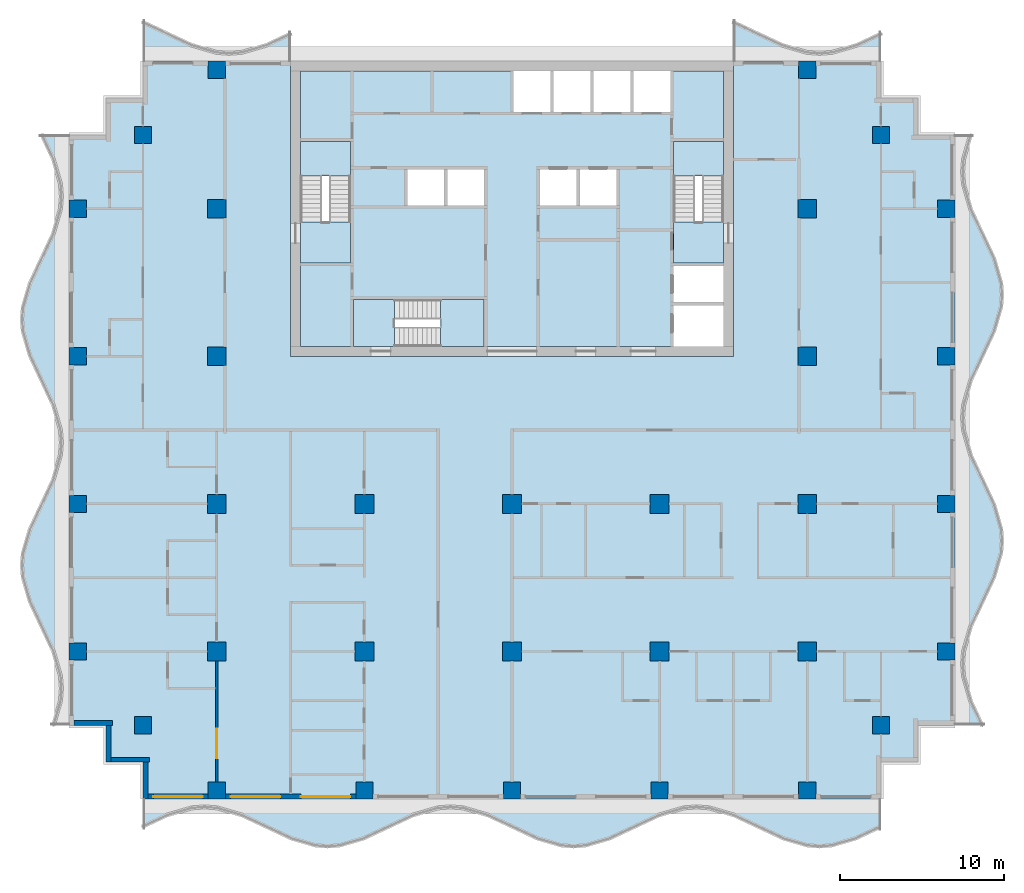
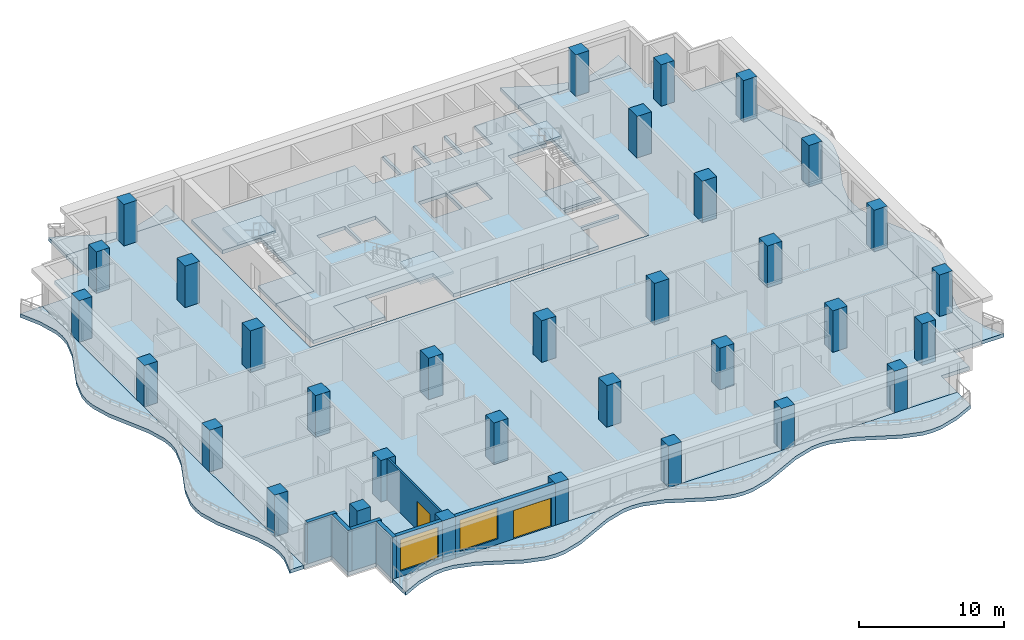
# One storey, part 1 of 11: 33 columns, 13 slabs, 7 walls, 2 doors, 2 windows, 4 openings, 3 elements without a shape of their own.
"""IFC4 building model written with IfcOpenShell, lengths in metres."""

from ifc_helpers import new_model, si_unit, direction, frame, frame_2d, origin, origin_2d, place, context, subcontext, project, spatial, polyline, rectangle, outline, extrude, material, layer, layer_set, material_profile, profile_set, type_object, element, fill, aggregate, save


model = new_model("IFC4")

# Units and contexts
model_context = context("Model", 3, precision=1e-05, world=origin(), true_north=direction((0.0, 1.0)))
body_context = subcontext(model_context, "Body", "Model", "MODEL_VIEW")
ifc_project = project(units=[si_unit("LENGTHUNIT", "METRE"), si_unit("AREAUNIT", "SQUARE_METRE"), si_unit("VOLUMEUNIT", "CUBIC_METRE"), si_unit("PLANEANGLEUNIT", "RADIAN"), si_unit("MASSUNIT", "GRAM", prefix="KILO")], contexts=[model_context])

# Site, building, storey
site_placement = place(None, origin())
site = spatial("IfcSite", under=ifc_project, at=site_placement, CompositionType="ELEMENT")
building_placement = place(site_placement, origin())
building = spatial("IfcBuilding", under=site, at=building_placement, Name="Orbiselva Terraces", CompositionType="ELEMENT")
storey_placement = place(building_placement, frame((0.0, 0.0, 195.8)))
storey = spatial("IfcBuildingStorey", under=building, at=storey_placement, Name="L49", CompositionType="ELEMENT", Elevation=195.8)

# Columns
ifc_material_1 = material(Name="Concrete C60/75", Category="concrete")
ifc_material_profile_1 = material_profile(ifc_material_1, rectangle(XDim=1.15, YDim=1.15, at=origin_2d()), Name="RC 1150x1150")
ifc_profile_set_1 = profile_set([ifc_material_profile_1], Name="Concrete C60/75")
column_type_1 = type_object("IfcColumnType", Name="COLUMN RC 1150x1150", PredefinedType="COLUMN", material=ifc_profile_set_1)
for number, where, z_axis, x_axis, name in (
    (1, (-18.0, -13.5, 0.0), (0.0, 0.0, 1.0), (1.0, 0.0, 0.0), "Column L49-01"),
    (2, (-18.0, -4.5, 0.0), (0.0, 0.0, 1.0), (1.0, 0.0, 0.0), "Column L49-03"),
    (3, (-18.0, 13.5, 0.0), (0.0, 0.0, 1.0), (1.0, 0.0, 0.0), "Column L49-04"),
    (4, (-18.0, 4.5, 0.0), (0.0, 0.0, 1.0), (1.0, 0.0, 0.0), "Column L49-06"),
    (5, (-9.0, -13.5, 0.0), (0.0, 0.0, 1.0), (1.0, 0.0, 0.0), "Column L49-13"),
    (6, (-9.0, -4.5, 0.0), (0.0, 0.0, 1.0), (1.0, 0.0, 0.0), "Column L49-15"),
    (7, (0.0, -13.5, 0.0), (0.0, 0.0, 1.0), (1.0, 0.0, 0.0), "Column L49-16"),
    (8, (0.0, -4.5, 0.0), (0.0, 0.0, 1.0), (1.0, 0.0, 0.0), "Column L49-18"),
    (9, (18.0, -13.5, 0.0), (0.0, 0.0, 1.0), (1.0, 0.0, 0.0), "Column L49-19"),
    (10, (18.0, -4.5, 0.0), (0.0, 0.0, 1.0), (1.0, 0.0, 0.0), "Column L49-21"),
    (11, (18.0, 13.5, 0.0), (0.0, 0.0, 1.0), (1.0, 0.0, 0.0), "Column L49-22"),
    (12, (18.0, 4.5, 0.0), (0.0, 0.0, 1.0), (1.0, 0.0, 0.0), "Column L49-24"),
    (13, (9.0, -13.5, 0.0), (0.0, 0.0, 1.0), (1.0, 0.0, 0.0), "Column L49-31"),
    (14, (9.0, -4.5, 0.0), (0.0, 0.0, 1.0), (1.0, 0.0, 0.0), "Column L49-33"),
):
    element("IfcColumn", number, at=place(storey_placement, frame(where, z_axis=z_axis, x_axis=x_axis)), inside=storey, type_object=column_type_1, Name=name, PredefinedType="COLUMN", context=body_context, shape_type="SweptSolid", body=[
        extrude(rectangle(XDim=1.15, YDim=1.15, at=origin_2d()), origin(), (0.0, 0.0, 1.0), 3.5),
    ])
ifc_material_2 = material(Name="Concrete C50/60", Category="concrete")
ifc_material_profile_2 = material_profile(ifc_material_2, rectangle(XDim=1.05, YDim=1.05, at=origin_2d()), Name="RC 1050x1050")
ifc_profile_set_2 = profile_set([ifc_material_profile_2], Name="Concrete C50/60")
column_type_2 = type_object("IfcColumnType", Name="PERIMETER COLUMN RC 1050x1050", PredefinedType="COLUMN", material=ifc_profile_set_2)
for number, where, z_axis, x_axis, name in (
    (15, (-18.0, -21.975, 0.0), (0.0, 0.0, 1.0), (1.0, 0.0, 0.0), "Column L49-02"),
    (16, (-18.0, 21.975, 0.0), (0.0, 0.0, 1.0), (1.0, 0.0, 0.0), "Column L49-05"),
    (17, (-26.475, -13.5, 0.0), (0.0, 0.0, 1.0), (1.0, 0.0, 0.0), "Column L49-07"),
    (18, (-22.5, -18.0, 0.0), (0.0, 0.0, 1.0), (1.0, 0.0, 0.0), "Column L49-08"),
    (19, (-26.475, -4.5, 0.0), (0.0, 0.0, 1.0), (1.0, 0.0, 0.0), "Column L49-09"),
    (20, (-26.475, 13.5, 0.0), (0.0, 0.0, 1.0), (1.0, 0.0, 0.0), "Column L49-10"),
    (21, (-22.5, 18.0, 0.0), (0.0, 0.0, 1.0), (1.0, 0.0, 0.0), "Column L49-11"),
    (22, (-26.475, 4.5, 0.0), (0.0, 0.0, 1.0), (1.0, 0.0, 0.0), "Column L49-12"),
    (23, (-9.0, -21.975, 0.0), (0.0, 0.0, 1.0), (1.0, 0.0, 0.0), "Column L49-14"),
    (24, (0.0, -21.975, 0.0), (0.0, 0.0, 1.0), (1.0, 0.0, 0.0), "Column L49-17"),
    (25, (18.0, -21.975, 0.0), (0.0, 0.0, 1.0), (1.0, 0.0, 0.0), "Column L49-20"),
    (26, (18.0, 21.975, 0.0), (0.0, 0.0, 1.0), (1.0, 0.0, 0.0), "Column L49-23"),
    (27, (26.475, -13.5, 0.0), (0.0, 0.0, 1.0), (1.0, 0.0, 0.0), "Column L49-25"),
    (28, (22.5, -18.0, 0.0), (0.0, 0.0, 1.0), (1.0, 0.0, 0.0), "Column L49-26"),
    (29, (26.475, -4.5, 0.0), (0.0, 0.0, 1.0), (1.0, 0.0, 0.0), "Column L49-27"),
    (30, (26.475, 13.5, 0.0), (0.0, 0.0, 1.0), (1.0, 0.0, 0.0), "Column L49-28"),
    (31, (22.5, 18.0, 0.0), (0.0, 0.0, 1.0), (1.0, 0.0, 0.0), "Column L49-29"),
    (32, (26.475, 4.5, 0.0), (0.0, 0.0, 1.0), (1.0, 0.0, 0.0), "Column L49-30"),
    (33, (9.0, -21.975, 0.0), (0.0, 0.0, 1.0), (1.0, 0.0, 0.0), "Column L49-32"),
):
    element("IfcColumn", number, at=place(storey_placement, frame(where, z_axis=z_axis, x_axis=x_axis)), inside=storey, type_object=column_type_2, Name=name, PredefinedType="COLUMN", context=body_context, shape_type="SweptSolid", body=[
        extrude(rectangle(XDim=1.05, YDim=1.05, at=origin_2d()), origin(), (0.0, 0.0, 1.0), 3.5),
    ])

# Slabs
ifc_material_3 = material(Name="Concrete C40/50", Category="concrete")
ifc_layer_1 = layer(ifc_material_3, 0.3)
ifc_layer_set_1 = layer_set([ifc_layer_1], Name="Concrete C40/50")
slab_type_1 = type_object("IfcSlabType", Name="CORE-SLAB-FLOOR-300", PredefinedType="FLOOR", material=ifc_layer_set_1)
slab_1_placement = place(storey_placement, frame((0.0, 0.0, -0.3)))
element("IfcSlab", 34, at=slab_1_placement, inside=storey, type_object=slab_type_1, Name="L49 S1 floor landing", PredefinedType="FLOOR", context=body_context, shape_type="SweptSolid", body=[
    extrude(outline(polyline([(-12.9, 12.7), (-9.85, 12.7), (-9.85, 10.2), (-12.9, 10.2), (-12.9, 12.7)])), origin(), (0.0, 0.0, 1.0), 0.3),
])
slab_2_placement = place(storey_placement, frame((0.0, 0.0, -0.3)))
element("IfcSlab", 35, at=slab_2_placement, inside=storey, type_object=slab_type_1, Name="L49 S2 floor landing", PredefinedType="FLOOR", context=body_context, shape_type="SweptSolid", body=[
    extrude(outline(polyline([(12.9, 12.7), (12.9, 10.2), (9.85, 10.2), (9.85, 12.7), (12.9, 12.7)])), origin(), (0.0, 0.0, 1.0), 0.3),
])
slab_3_placement = place(storey_placement, frame((0.0, 0.0, -0.3)))
element("IfcSlab", 36, at=slab_3_placement, inside=storey, type_object=slab_type_1, Name="L49 S3 floor landing", PredefinedType="FLOOR", context=body_context, shape_type="SweptSolid", body=[
    extrude(outline(polyline([(-7.15, 5.1), (-9.65, 5.1), (-9.65, 7.95), (-7.15, 7.95), (-7.15, 5.1)])), origin(), (0.0, 0.0, 1.0), 0.3),
])
slab_4_placement = place(storey_placement, frame((0.0, 0.0, -0.3)))
element("IfcSlab", 37, at=slab_4_placement, inside=storey, type_object=slab_type_1, Name="L49 core floor slab 1", PredefinedType="FLOOR", context=body_context, shape_type="SweptSolid", body=[
    extrude(outline(polyline([(-1.7, 5.1), (-1.7, 7.95), (-9.65, 7.95), (-9.65, 5.1), (-12.9, 5.1), (-12.9, 10.2), (-9.85, 10.2), (-9.85, 17.6), (-12.9, 17.6), (-12.9, 21.9), (0.1, 21.9), (0.1, 19.4), (2.3375, 19.4), (2.3375, 21.9), (2.5375, 21.9), (2.5375, 19.4), (4.775, 19.4), (4.775, 21.9), (4.975, 21.9), (4.975, 19.4), (7.2125, 19.4), (7.2125, 21.9), (7.4125, 21.9), (7.4125, 19.4), (9.65, 19.4), (9.65, 21.9), (12.9, 21.9), (12.9, 17.6), (9.85, 17.6), (9.85, 10.2), (12.9, 10.2), (12.9, 10.0), (9.85, 10.0), (9.85, 7.8), (12.9, 7.8), (12.9, 7.6), (9.85, 7.6), (9.85, 5.1), (-1.7, 5.1)]), holes=[polyline([(-4.1375, 13.7), (-4.1375, 15.9), (-6.375, 15.9), (-6.375, 13.7), (-4.1375, 13.7)]), polyline([(-1.7, 13.7), (-1.7, 15.9), (-3.9375, 15.9), (-3.9375, 13.7), (-1.7, 13.7)]), polyline([(3.9375, 15.9), (1.7, 15.9), (1.7, 13.7), (3.9375, 13.7), (3.9375, 15.9)]), polyline([(6.375, 13.7), (6.375, 15.9), (4.1375, 15.9), (4.1375, 13.7), (6.375, 13.7)])]), origin(), (0.0, 0.0, 1.0), 0.3),
])

# Stair, slab
stair_type_1 = type_object("IfcStairType", Name="CORE-STAIR-1300", PredefinedType="HALF_TURN_STAIR", material=ifc_material_3)
stair_1_placement = place(storey_placement, origin())
stair_1 = element("IfcStair", 38, at=stair_1_placement, inside=storey, type_object=stair_type_1, Name="L49 Exit Stair S1", PredefinedType="HALF_TURN_STAIR")
ifc_layer_2 = layer(ifc_material_3, 0.2)
ifc_layer_set_2 = layer_set([ifc_layer_2], Name="Concrete C40/50")
slab_type_2 = type_object("IfcSlabType", Name="CORE-STAIR-LANDING-200", PredefinedType="LANDING", material=ifc_layer_set_2)
slab_5_placement = place(storey_placement, frame((0.0, 0.0, 1.7)))
slab_5 = element("IfcSlab", 39, at=slab_5_placement, type_object=slab_type_2, Name="S1 landing 1", PredefinedType="LANDING", context=body_context, shape_type="SweptSolid", body=[
    extrude(outline(polyline([(-9.85, 15.5), (-9.85, 17.6), (-12.9, 17.6), (-12.9, 15.5), (-9.85, 15.5)])), origin(), (0.0, 0.0, 1.0), 0.2),
])
aggregate(stair_1, [slab_5])

stair_2_placement = place(storey_placement, origin())
stair_2 = element("IfcStair", 40, at=stair_2_placement, inside=storey, type_object=stair_type_1, Name="L49 Exit Stair S2", PredefinedType="HALF_TURN_STAIR")
slab_6_placement = place(storey_placement, frame((0.0, 0.0, 1.7)))
slab_6 = element("IfcSlab", 41, at=slab_6_placement, type_object=slab_type_2, Name="S2 landing 1", PredefinedType="LANDING", context=body_context, shape_type="SweptSolid", body=[
    extrude(outline(polyline([(12.9, 15.5), (12.9, 17.6), (9.85, 17.6), (9.85, 15.5), (12.9, 15.5)])), origin(), (0.0, 0.0, 1.0), 0.2),
])
aggregate(stair_2, [slab_6])

stair_type_2 = type_object("IfcStairType", Name="CORE-STAIR-1200", PredefinedType="HALF_TURN_STAIR", material=ifc_material_3)
stair_3_placement = place(storey_placement, origin())
stair_3 = element("IfcStair", 42, at=stair_3_placement, inside=storey, type_object=stair_type_2, Name="L49 Exit Stair S3", PredefinedType="HALF_TURN_STAIR")
slab_7_placement = place(storey_placement, frame((0.0, 0.0, 1.7)))
slab_7 = element("IfcSlab", 43, at=slab_7_placement, type_object=slab_type_2, Name="S3 landing 1", PredefinedType="LANDING", context=body_context, shape_type="SweptSolid", body=[
    extrude(outline(polyline([(-4.35, 5.1), (-1.7, 5.1), (-1.7, 7.95), (-4.35, 7.95), (-4.35, 5.1)])), origin(), (0.0, 0.0, 1.0), 0.2),
])
aggregate(stair_3, [slab_7])

# Slabs
ifc_layer_3 = layer(ifc_material_2, 0.3)
ifc_layer_set_3 = layer_set([ifc_layer_3], Name="Concrete C50/60")
slab_type_3 = type_object("IfcSlabType", Name="ENV-BALCONY-SLAB-300", PredefinedType="FLOOR", material=ifc_layer_set_3)
slab_8_placement = place(storey_placement, frame((0.0, 0.0, -0.3)))
element("IfcSlab", 44, at=slab_8_placement, inside=storey, type_object=slab_type_3, Name="Balcony slab L49 S", PredefinedType="FLOOR", context=body_context, shape_type="SweptSolid", body=[
    extrude(outline(polyline([(-22.5, -24.3), (-21.0, -23.594658), (-19.5, -23.158732), (-18.75, -23.1), (-18.0, -23.158732), (-16.5, -23.594658), (-13.5, -25.005342), (-12.0, -25.441268), (-11.25, -25.5), (-10.5, -25.441268), (-9.0, -25.005342), (-6.0, -23.594658), (-4.5, -23.158732), (-3.75, -23.1), (-3.0, -23.158732), (-1.5, -23.594658), (1.5, -25.005342), (3.0, -25.441268), (3.75, -25.5), (4.5, -25.441268), (6.0, -25.005342), (9.0, -23.594658), (10.5, -23.158732), (11.25, -23.1), (12.0, -23.158732), (13.5, -23.594658), (16.5, -25.005342), (18.0, -25.441268), (18.75, -25.5), (19.5, -25.441268), (21.0, -25.005342), (22.5, -24.3), (22.5, -22.5), (-22.5, -22.5), (-22.5, -24.3)])), origin(), (0.0, 0.0, 1.0), 0.3),
])
slab_9_placement = place(storey_placement, frame((0.0, 0.0, -0.3)))
element("IfcSlab", 45, at=slab_9_placement, inside=storey, type_object=slab_type_3, Name="Balcony slab L49 E", PredefinedType="FLOOR", context=body_context, shape_type="SweptSolid", body=[
    extrude(outline(polyline([(28.8, -18.0), (28.094658, -16.5), (27.658732, -15.0), (27.6, -14.25), (27.658732, -13.5), (28.094658, -12.0), (29.505342, -9.0), (29.941268, -7.5), (30.0, -6.75), (29.941268, -6.0), (29.505342, -4.5), (28.094658, -1.5), (27.658732, 0.0), (27.6, 0.75), (27.658732, 1.5), (28.094658, 3.0), (29.505342, 6.0), (29.941268, 7.5), (30.0, 8.25), (29.941268, 9.0), (29.505342, 10.5), (28.094658, 13.5), (27.658732, 15.0), (27.6, 15.75), (27.658732, 16.5), (28.094658, 18.0), (27.0, 18.0), (27.0, -18.0), (28.8, -18.0)])), origin(), (0.0, 0.0, 1.0), 0.3),
])
slab_10_placement = place(storey_placement, frame((0.0, 0.0, -0.3)))
element("IfcSlab", 46, at=slab_10_placement, inside=storey, type_object=slab_type_3, Name="Balcony slab L49 NE", PredefinedType="FLOOR", context=body_context, shape_type="SweptSolid", body=[
    extrude(outline(polyline([(22.5, 24.3), (21.0, 23.594658), (19.5, 23.158732), (18.75, 23.1), (18.0, 23.158732), (16.5, 23.594658), (13.5, 25.005342), (13.5, 22.5), (22.5, 22.5), (22.5, 24.3)])), origin(), (0.0, 0.0, 1.0), 0.3),
])
slab_11_placement = place(storey_placement, frame((0.0, 0.0, -0.3)))
element("IfcSlab", 47, at=slab_11_placement, inside=storey, type_object=slab_type_3, Name="Balcony slab L49 NW", PredefinedType="FLOOR", context=body_context, shape_type="SweptSolid", body=[
    extrude(outline(polyline([(-13.5, 24.3), (-15.0, 23.594658), (-16.5, 23.158732), (-17.25, 23.1), (-18.0, 23.158732), (-19.5, 23.594658), (-22.5, 25.005342), (-22.5, 22.5), (-13.5, 22.5), (-13.5, 24.3)])), origin(), (0.0, 0.0, 1.0), 0.3),
])
slab_12_placement = place(storey_placement, frame((0.0, 0.0, -0.3)))
element("IfcSlab", 48, at=slab_12_placement, inside=storey, type_object=slab_type_3, Name="Balcony slab L49 W", PredefinedType="FLOOR", context=body_context, shape_type="SweptSolid", body=[
    extrude(outline(polyline([(-28.8, 18.0), (-28.094658, 16.5), (-27.658732, 15.0), (-27.6, 14.25), (-27.658732, 13.5), (-28.094658, 12.0), (-29.505342, 9.0), (-29.941268, 7.5), (-30.0, 6.75), (-29.941268, 6.0), (-29.505342, 4.5), (-28.094658, 1.5), (-27.658732, 0.0), (-27.6, -0.75), (-27.658732, -1.5), (-28.094658, -3.0), (-29.505342, -6.0), (-29.941268, -7.5), (-30.0, -8.25), (-29.941268, -9.0), (-29.505342, -10.5), (-28.094658, -13.5), (-27.658732, -15.0), (-27.6, -15.75), (-27.658732, -16.5), (-28.094658, -18.0), (-27.0, -18.0), (-27.0, 18.0), (-28.8, 18.0)])), origin(), (0.0, 0.0, 1.0), 0.3),
])
ifc_layer_4 = layer(ifc_material_2, 0.3)
ifc_layer_set_4 = layer_set([ifc_layer_4], Name="Concrete C50/60")
slab_type_4 = type_object("IfcSlabType", Name="FLOOR SLAB 300", PredefinedType="FLOOR", material=ifc_layer_set_4)
slab_13_placement = place(storey_placement, frame((0.0, 0.0, -0.3)))
element("IfcSlab", 49, at=slab_13_placement, inside=storey, type_object=slab_type_4, Name="Floor slab L49", PredefinedType="FLOOR", context=body_context, shape_type="SweptSolid", body=[
    extrude(outline(polyline([(22.5, 22.5), (22.5, 20.25), (24.75, 20.25), (24.75, 18.0), (27.0, 18.0), (27.0, -18.0), (24.75, -18.0), (24.75, -20.25), (22.5, -20.25), (22.5, -22.5), (-22.5, -22.5), (-22.5, -20.25), (-24.75, -20.25), (-24.75, -18.0), (-27.0, -18.0), (-27.0, 18.0), (-24.75, 18.0), (-24.75, 20.25), (-22.5, 20.25), (-22.5, 22.5), (-13.5, 22.5), (-13.5, 4.5), (13.5, 4.5), (13.5, 22.5), (22.5, 22.5)])), origin(), (0.0, 0.0, 1.0), 0.3),
])

# Wall, opening, window
ifc_material_4 = material(Name="Terracotta cladding on masonry backing", Category="masonry")
ifc_layer_5 = layer(ifc_material_4, 0.3)
ifc_layer_set_5 = layer_set([ifc_layer_5], Name="Terracotta cladding on masonry backing")
wall_type_1 = type_object("IfcWallType", Name="ENV-WALL-TERRACOTTA-300", PredefinedType="SOLIDWALL", material=ifc_layer_set_5)
wall_1_placement = place(storey_placement, frame((-18.525, -22.35, 0.0), z_axis=(0.0, 0.0, 1.0), x_axis=(-1.0, 0.0, 0.0)))
wall_1 = element("IfcWall", 50, at=wall_1_placement, inside=storey, type_object=wall_type_1, Name="Facade wall L49 S", PredefinedType="SOLIDWALL", context=body_context, shape_type="SweptSolid", body=[
    extrude(rectangle(XDim=3.675, YDim=0.3, at=frame_2d((1.8375, 0.0))), origin(), (0.0, 0.0, 1.0), 3.5),
])
opening_1_placement = place(wall_1_placement, frame((0.325, 0.0, 0.45)))
opening_1 = element("IfcOpeningElement", 51, at=opening_1_placement, cuts=wall_1, Name="Opening WN14", PredefinedType="OPENING", context=body_context, shape_type="SweptSolid", body=[
    extrude(rectangle(XDim=3.025, YDim=2.65, at=frame_2d((1.5125, 1.325))), frame((0.0, 0.16, 0.0), z_axis=(0.0, -1.0, 0.0), x_axis=(1.0, 0.0, 0.0)), (0.0, 0.0, 1.0), 0.32),
])
ifc_material_5 = material(Name="Clear low-e glazing in aluminium frame", Category="aluminium")
window_type = type_object("IfcWindowType", Name="WINDOW 3025 X 2650 S450", PartitioningType="TRIPLE_PANEL_VERTICAL", PredefinedType="WINDOW", material=ifc_material_5)
window_1_placement = place(opening_1_placement, origin())
window_1 = element("IfcWindow", 52, at=window_1_placement, inside=storey, type_object=window_type, Name="Window L49 S", OverallHeight=2.65, OverallWidth=3.025, PartitioningType="SINGLE_PANEL", PredefinedType="WINDOW", context=body_context, shape_type="SweptSolid", body=[
    extrude(rectangle(XDim=3.025, YDim=2.65, at=frame_2d((1.5125, 1.325))), frame((0.0, 0.03, 0.0), z_axis=(0.0, -1.0, 0.0), x_axis=(1.0, 0.0, 0.0)), (0.0, 0.0, 1.0), 0.06),
])
fill(opening_1, window_1)

# Wall, openings, door, window
wall_2_placement = place(storey_placement, frame((-9.525, -22.35, 0.0), z_axis=(0.0, 0.0, 1.0), x_axis=(-1.0, 0.0, 0.0)))
wall_2 = element("IfcWall", 53, at=wall_2_placement, inside=storey, type_object=wall_type_1, Name="Facade wall L49 S", PredefinedType="SOLIDWALL", context=body_context, shape_type="SweptSolid", body=[
    extrude(rectangle(XDim=7.95, YDim=0.3, at=frame_2d((3.975, 0.0))), origin(), (0.0, 0.0, 1.0), 3.5),
])
opening_2_placement = place(wall_2_placement, frame((4.6, 0.0, 0.45)))
opening_2 = element("IfcOpeningElement", 54, at=opening_2_placement, cuts=wall_2, Name="Opening WN14", PredefinedType="OPENING", context=body_context, shape_type="SweptSolid", body=[
    extrude(rectangle(XDim=3.025, YDim=2.65, at=frame_2d((1.5125, 1.325))), frame((0.0, 0.16, 0.0), z_axis=(0.0, -1.0, 0.0), x_axis=(1.0, 0.0, 0.0)), (0.0, 0.0, 1.0), 0.32),
])
opening_3_placement = place(wall_2_placement, frame((0.325, 0.0, 0.0)))
opening_3 = element("IfcOpeningElement", 55, at=opening_3_placement, cuts=wall_2, Name="Opening Z4-B-E01", PredefinedType="OPENING", context=body_context, shape_type="SweptSolid", body=[
    extrude(rectangle(XDim=3.025, YDim=2.4, at=frame_2d((1.5125, 1.2))), frame((0.0, 0.16, 0.0), z_axis=(0.0, -1.0, 0.0), x_axis=(1.0, 0.0, 0.0)), (0.0, 0.0, 1.0), 0.32),
])
door_type_1 = type_object("IfcDoorType", Name="BALCONY DOOR 3025 X 2400", OperationType="DOUBLE_DOOR_SLIDING", PredefinedType="DOOR", material=ifc_material_5)
door_1_placement = place(opening_3_placement, origin())
door_1 = element("IfcDoor", 56, at=door_1_placement, inside=storey, type_object=door_type_1, Name="Z4-B-E01", OperationType="SINGLE_SWING_LEFT", OverallHeight=2.4, OverallWidth=3.025, PredefinedType="DOOR", context=body_context, shape_type="SweptSolid", body=[
    extrude(rectangle(XDim=3.025, YDim=2.4, at=frame_2d((1.5125, 1.2))), frame((0.0, 0.025, 0.0), z_axis=(0.0, -1.0, 0.0), x_axis=(1.0, 0.0, 0.0)), (0.0, 0.0, 1.0), 0.05),
])
fill(opening_3, door_1)
window_2_placement = place(opening_2_placement, origin())
window_2 = element("IfcWindow", 57, at=window_2_placement, inside=storey, type_object=window_type, Name="Window L49 S", OverallHeight=2.65, OverallWidth=3.025, PartitioningType="SINGLE_PANEL", PredefinedType="WINDOW", context=body_context, shape_type="SweptSolid", body=[
    extrude(rectangle(XDim=3.025, YDim=2.65, at=frame_2d((1.5125, 1.325))), frame((0.0, 0.03, 0.0), z_axis=(0.0, -1.0, 0.0), x_axis=(1.0, 0.0, 0.0)), (0.0, 0.0, 1.0), 0.06),
])
fill(opening_2, window_2)

# Walls
wall_3_placement = place(storey_placement, frame((-24.35, -17.85, 0.0), z_axis=(0.0, 0.0, 1.0), x_axis=(-1.0, 0.0, 0.0)))
element("IfcWall", 58, at=wall_3_placement, inside=storey, type_object=wall_type_1, Name="Facade wall L49 STEP", PredefinedType="SOLIDWALL", context=body_context, shape_type="SweptSolid", body=[
    extrude(rectangle(XDim=2.35, YDim=0.3, at=frame_2d((1.175, 0.0))), origin(), (0.0, 0.0, 1.0), 3.5),
])
wall_4_placement = place(storey_placement, frame((-24.6, -20.25, 0.0), z_axis=(0.0, 0.0, 1.0), x_axis=(0.0, 1.0, 0.0)))
element("IfcWall", 59, at=wall_4_placement, inside=storey, type_object=wall_type_1, Name="Facade wall L49 STEP", PredefinedType="SOLIDWALL", context=body_context, shape_type="SweptSolid", body=[
    extrude(rectangle(XDim=2.25, YDim=0.3, at=frame_2d((1.125, 0.0))), origin(), (0.0, 0.0, 1.0), 3.5),
])
wall_5_placement = place(storey_placement, frame((-22.1, -20.1, 0.0), z_axis=(0.0, 0.0, 1.0), x_axis=(-1.0, 0.0, 0.0)))
element("IfcWall", 60, at=wall_5_placement, inside=storey, type_object=wall_type_1, Name="Facade wall L49 STEP", PredefinedType="SOLIDWALL", context=body_context, shape_type="SweptSolid", body=[
    extrude(rectangle(XDim=2.35, YDim=0.3, at=frame_2d((1.175, 0.0))), origin(), (0.0, 0.0, 1.0), 3.5),
])
wall_6_placement = place(storey_placement, frame((-22.35, -22.5, 0.0), z_axis=(0.0, 0.0, 1.0), x_axis=(0.0, 1.0, 0.0)))
element("IfcWall", 61, at=wall_6_placement, inside=storey, type_object=wall_type_1, Name="Facade wall L49 STEP", PredefinedType="SOLIDWALL", context=body_context, shape_type="SweptSolid", body=[
    extrude(rectangle(XDim=2.25, YDim=0.3, at=frame_2d((1.125, 0.0))), origin(), (0.0, 0.0, 1.0), 3.5),
])

# Wall, opening, door
ifc_material_6 = material(Name="Plasterboard on steel stud partition", Category="steel")
ifc_layer_6 = layer(ifc_material_6, 0.15)
ifc_layer_set_6 = layer_set([ifc_layer_6], Name="Plasterboard on steel stud partition")
wall_type_2 = type_object("IfcWallType", Name="UNIT-PARTITION-150", PredefinedType="PARTITIONING", material=ifc_layer_set_6)
wall_7_placement = place(storey_placement, frame((-18.0, -21.45, 0.0), z_axis=(0.0, 0.0, 1.0), x_axis=(0.0, 1.0, 0.0)))
wall_7 = element("IfcWall", 62, at=wall_7_placement, inside=storey, type_object=wall_type_2, Name="PARTITION L49-049", PredefinedType="PARTITIONING", context=body_context, shape_type="SweptSolid", body=[
    extrude(rectangle(XDim=7.375, YDim=0.15, at=frame_2d((3.6875, 0.0))), origin(), (0.0, 0.0, 1.0), 3.5),
])
opening_4_placement = place(wall_7_placement, frame((1.45, 0.0, 0.0)))
opening_4 = element("IfcOpeningElement", 63, at=opening_4_placement, cuts=wall_7, Name="Opening Z4-B-28", PredefinedType="OPENING", context=body_context, shape_type="SweptSolid", body=[
    extrude(rectangle(XDim=1.8, YDim=2.4, at=frame_2d((0.9, 1.2))), frame((0.0, 0.085, 0.0), z_axis=(0.0, -1.0, 0.0), x_axis=(1.0, 0.0, 0.0)), (0.0, 0.0, 1.0), 0.17),
])
ifc_material_7 = material(Name="Painted timber door leaf", Category="wood")
door_type_2 = type_object("IfcDoorType", Name="DOUBLE DOOR 1800", OperationType="NOTDEFINED", PredefinedType="DOOR", material=ifc_material_7)
door_2_placement = place(opening_4_placement, origin())
door_2 = element("IfcDoor", 64, at=door_2_placement, inside=storey, type_object=door_type_2, Name="Z4-B-28", OperationType="DOUBLE_DOOR_SINGLE_SWING", OverallHeight=2.4, OverallWidth=1.8, PredefinedType="DOOR", context=body_context, shape_type="SweptSolid", body=[
    extrude(rectangle(XDim=1.8, YDim=2.4, at=frame_2d((0.9, 1.2))), frame((0.0, 0.025, 0.0), z_axis=(0.0, -1.0, 0.0), x_axis=(1.0, 0.0, 0.0)), (0.0, 0.0, 1.0), 0.05),
])
fill(opening_4, door_2)

save(model, "model.ifc")
